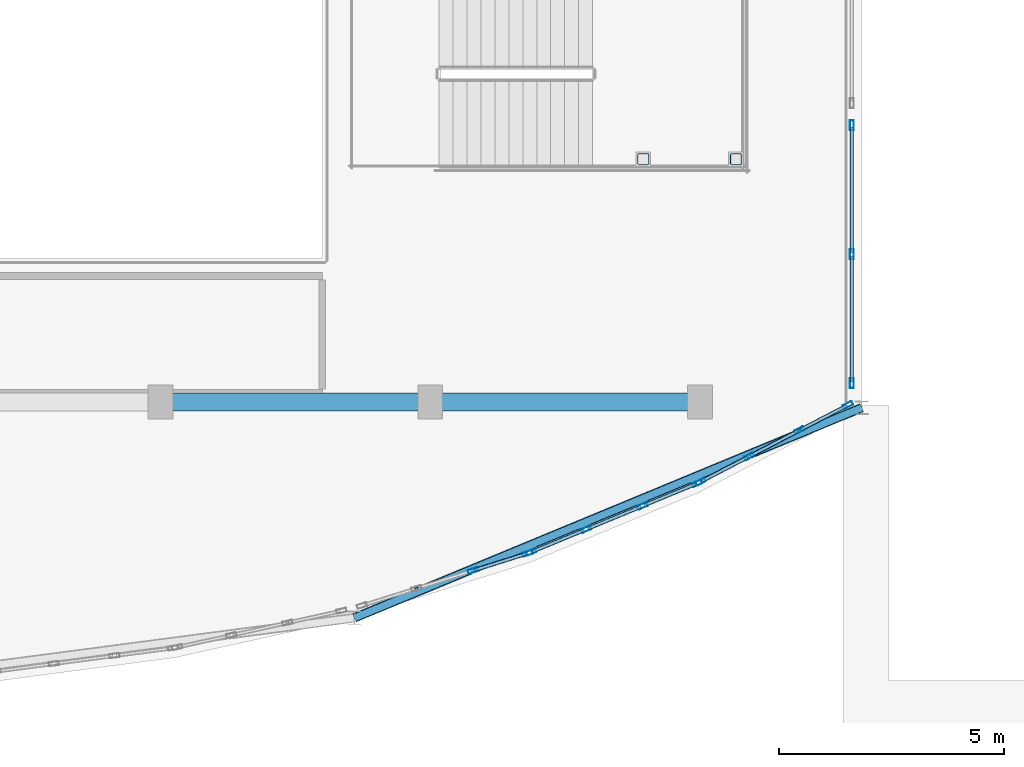
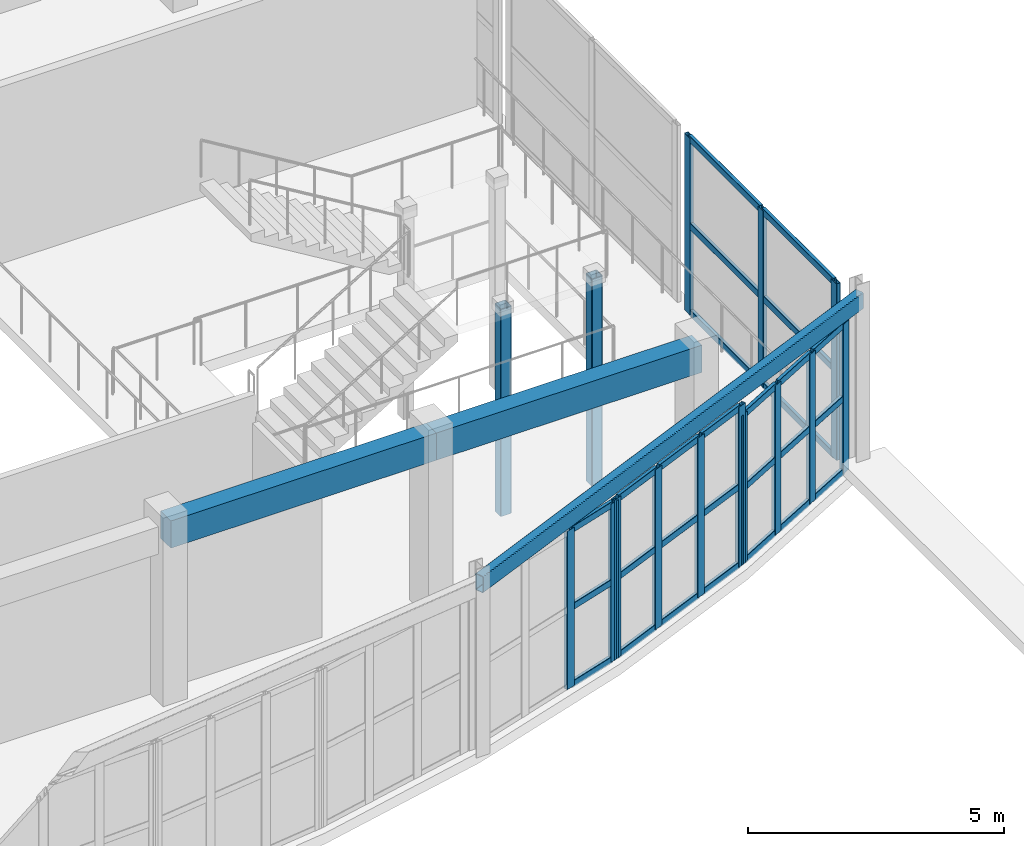
# One storey, part 10 of 92: 42 members, 3 beams, 4 elements without a shape of their own.
"""IFC4 building model written with IfcOpenShell, lengths in metres."""

from ifc_helpers import new_model, si_unit, direction, frame, origin, origin_2d, place, context, subcontext, project, spatial, rectangle, hollow_rectangle, extrude, material, layer, layer_set, material_profile, profile_set, type_object, element, aggregate, save


model = new_model("IFC4")

# Units and contexts
model_context = context("Model", 3, precision=1e-05, world=origin(), true_north=direction((0.0, 1.0)))
body_context = subcontext(model_context, "Body", "Model", "MODEL_VIEW")
ifc_project = project(units=[si_unit("LENGTHUNIT", "METRE"), si_unit("AREAUNIT", "SQUARE_METRE"), si_unit("VOLUMEUNIT", "CUBIC_METRE"), si_unit("PLANEANGLEUNIT", "RADIAN"), si_unit("MASSUNIT", "GRAM", prefix="KILO")], contexts=[model_context])

# Site, building, storey
site_placement = place(None, origin())
site = spatial("IfcSite", under=ifc_project, at=site_placement, CompositionType="ELEMENT")
building_placement = place(site_placement, origin())
building = spatial("IfcBuilding", under=site, at=building_placement, Name="Tarnavel Promenade Courthouse", CompositionType="ELEMENT")
storey_placement = place(building_placement, frame((0.0, 0.0, 5.39990234375)))
storey = spatial("IfcBuildingStorey", under=building, at=storey_placement, Name="L02", CompositionType="ELEMENT", Elevation=5.39990234375)

# Beams
ifc_material_1 = material(Name="Concrete C40/50", Category="concrete")
ifc_material_profile_1 = material_profile(ifc_material_1, rectangle(XDim=0.39990234375, YDim=0.64990234375, at=origin_2d()), Name="RC 400x650")
ifc_profile_set_1 = profile_set([ifc_material_profile_1], Name="Concrete C40/50")
beam_type_1 = type_object("IfcBeamType", Name="Concrete C40/50 BM-RC-400x650 (RC 400x650)", PredefinedType="BEAM", material=ifc_profile_set_1)
for number, where, z_axis, x_axis, name in (
    (1, (39.60009765625, 14.800048828125, 3.91015625), (1.0, 0.0, 0.0), (0.0, 1.0, 0.0), "L02 Primary Longitudinal Beam 1077"),
    (2, (45.60009765625, 14.800048828125, 3.91015625), (1.0, 0.0, 0.0), (0.0, 1.0, 0.0), "L02 Primary Longitudinal Beam 1078"),
):
    element("IfcBeam", number, at=place(storey_placement, frame(where, z_axis=z_axis, x_axis=x_axis)), inside=storey, type_object=beam_type_1, Name=name, PredefinedType="BEAM", context=body_context, shape_type="SweptSolid", body=[
        extrude(rectangle(XDim=0.39990234375, YDim=0.64990234375, at=origin_2d()), origin(), (0.0, 0.0, 1.0), 6.0),
    ])
ifc_material_2 = material(Name="Steel S355J2", Category="steel")
ifc_material_profile_2 = material_profile(ifc_material_2, hollow_rectangle(XDim=0.199951171875, YDim=0.39990234375, WallThickness=0.01416015625, InnerFilletRadius=0.013916015625, OuterFilletRadius=0.028076171875, at=origin_2d()), Name="RHS 400x200x14.2")
ifc_profile_set_2 = profile_set([ifc_material_profile_2], Name="Steel S355J2")
beam_type_2 = type_object("IfcBeamType", Name="Steel S355J2 BM-ST-RHS400 (RHS 400x200x14.2)", PredefinedType="SPANDREL", material=ifc_profile_set_2)
beam_placement = place(storey_placement, frame((43.91259765625, 9.99462890625, 4.03515625), z_axis=(0.923881903753, 0.38267770763, 0.0), x_axis=(-0.38267770763, 0.923881903753, 0.0)))
element("IfcBeam", 3, at=beam_placement, inside=storey, type_object=beam_type_2, Name="L02 Public Drum Ring Beam 1530", PredefinedType="SPANDREL", context=body_context, shape_type="SweptSolid", body=[
    extrude(hollow_rectangle(XDim=0.199951171875, YDim=0.39990234375, WallThickness=0.01416015625, InnerFilletRadius=0.013916015625, OuterFilletRadius=0.028076171875, at=origin_2d()), origin(), (0.0, 0.0, 1.0), 12.21728515625),
])

# Members
ifc_material_profile_3 = material_profile(ifc_material_2, hollow_rectangle(XDim=0.25, YDim=0.25, WallThickness=0.012451171875, InnerFilletRadius=0.012451171875, OuterFilletRadius=0.02490234375, at=origin_2d()), Name="SHS 250x250x12.5")
ifc_profile_set_3 = profile_set([ifc_material_profile_3], Name="Steel S355J2")
member_type_1 = type_object("IfcMemberType", Name="Steel S355J2 MEM-STR-SHS250 (SHS 250x250x12.5)", PredefinedType="STRUT", material=ifc_profile_set_3)
for number, where, z_axis, x_axis, name in (
    (4, (50.340087890625, 20.199951171875, -2.699951171875), (0.0, 0.0, 1.0), (1.0, 0.0, 0.0), "L02 ST-09 Monumental Stair Landing Post 1"),
    (5, (52.39990234375, 20.199951171875, -2.699951171875), (0.0, 0.0, 1.0), (1.0, 0.0, 0.0), "L02 ST-09 Monumental Stair Landing Post 2"),
):
    element("IfcMember", number, at=place(storey_placement, frame(where, z_axis=z_axis, x_axis=x_axis)), inside=storey, type_object=member_type_1, Name=name, PredefinedType="STRUT", context=body_context, shape_type="SweptSolid", body=[
        extrude(hollow_rectangle(XDim=0.25, YDim=0.25, WallThickness=0.012451171875, InnerFilletRadius=0.012451171875, OuterFilletRadius=0.02490234375, at=origin_2d()), origin(), (0.0, 0.0, 1.0), 4.949951171875),
    ])

# Curtain wall, members
ifc_material_3 = material(Name="Thermally Broken Anodised Aluminium Curtain Wall System", Category="aluminium")
ifc_layer = layer(ifc_material_3, 0.219970703125)
ifc_layer_set = layer_set([ifc_layer], Name="Thermally Broken Anodised Aluminium Curtain Wall System")
curtain_wall_type = type_object("IfcCurtainWallType", Name="Thermally Broken Aluminium Triple-Glazed Curtain Wall CW-DRUM", PredefinedType="NOTDEFINED", material=ifc_layer_set)
curtain_wall_1_placement = place(storey_placement, origin())
curtain_wall_1 = element("IfcCurtainWall", 6, at=curtain_wall_1_placement, inside=storey, type_object=curtain_wall_type, Name="L02 Public Hall Drum Curtain Wall 021", PredefinedType="NOTDEFINED")
ifc_material_4 = material(Name="Thermally Broken Anodised Aluminium Frame", Category="aluminium")
ifc_material_profile_4 = material_profile(ifc_material_4, hollow_rectangle(XDim=0.090087890625, YDim=0.219970703125, WallThickness=0.0048828125, InnerFilletRadius=0.0048828125, OuterFilletRadius=0.010009765625, at=origin_2d()), Name="CWM 220x90x5")
ifc_profile_set_4 = profile_set([ifc_material_profile_4], Name="Thermally Broken Anodised Aluminium Frame")
member_type_2 = type_object("IfcMemberType", Name="Thermally Broken Anodised Aluminium CWM-175 (CWM 220x90x5)", PredefinedType="MULLION", material=ifc_profile_set_4)
member_1_placement = place(storey_placement, frame((46.551025390625, 11.046630859375, 0.0), z_axis=(0.0, 0.0, 1.0), x_axis=(-0.300705340521, 0.953717095465, 0.0)))
member_1 = element("IfcMember", 7, at=member_1_placement, type_object=member_type_2, Name="CW-01 mullion 3", PredefinedType="MULLION", context=body_context, shape_type="SweptSolid", body=[
    extrude(hollow_rectangle(XDim=0.090087890625, YDim=0.219970703125, WallThickness=0.0048828125, InnerFilletRadius=0.0048828125, OuterFilletRadius=0.010009765625, at=origin_2d()), origin(), (0.0, 0.0, 1.0), 3.780029296875),
])
member_2_placement = place(storey_placement, frame((47.763671875, 11.428955078125, 0.0), z_axis=(0.0, 0.0, 1.0), x_axis=(-0.300705340521, 0.953717095465, 0.0)))
member_2 = element("IfcMember", 8, at=member_2_placement, type_object=member_type_2, Name="CW-01 mullion 4", PredefinedType="MULLION", context=body_context, shape_type="SweptSolid", body=[
    extrude(hollow_rectangle(XDim=0.090087890625, YDim=0.219970703125, WallThickness=0.0048828125, InnerFilletRadius=0.0048828125, OuterFilletRadius=0.010009765625, at=origin_2d()), origin(), (0.0, 0.0, 1.0), 3.780029296875),
])

curtain_wall_2_placement = place(storey_placement, origin())
curtain_wall_2 = element("IfcCurtainWall", 9, at=curtain_wall_2_placement, inside=storey, type_object=curtain_wall_type, Name="L02 Public Hall Drum Curtain Wall 022", PredefinedType="NOTDEFINED")
member_3_placement = place(storey_placement, frame((47.84814453125, 11.459716796875, 0.0), z_axis=(0.0, 0.0, 1.0), x_axis=(-0.382684779296, 0.923878974593, 0.0)))
member_3 = element("IfcMember", 10, at=member_3_placement, type_object=member_type_2, Name="CW-01 mullion 1", PredefinedType="MULLION", context=body_context, shape_type="SweptSolid", body=[
    extrude(hollow_rectangle(XDim=0.090087890625, YDim=0.219970703125, WallThickness=0.0048828125, InnerFilletRadius=0.0048828125, OuterFilletRadius=0.010009765625, at=origin_2d()), origin(), (0.0, 0.0, 1.0), 3.820068359375),
])
member_4_placement = place(storey_placement, frame((49.06396484375, 11.963134765625, 0.0), z_axis=(0.0, 0.0, 1.0), x_axis=(-0.382684779296, 0.923878974593, 0.0)))
member_4 = element("IfcMember", 11, at=member_4_placement, type_object=member_type_2, Name="CW-01 mullion 2", PredefinedType="MULLION", context=body_context, shape_type="SweptSolid", body=[
    extrude(hollow_rectangle(XDim=0.090087890625, YDim=0.219970703125, WallThickness=0.0048828125, InnerFilletRadius=0.0048828125, OuterFilletRadius=0.010009765625, at=origin_2d()), origin(), (0.0, 0.0, 1.0), 3.820068359375),
])
member_5_placement = place(storey_placement, frame((50.3212890625, 12.48388671875, 0.0), z_axis=(0.0, 0.0, 1.0), x_axis=(-0.382684779296, 0.923878974593, 0.0)))
member_5 = element("IfcMember", 12, at=member_5_placement, type_object=member_type_2, Name="CW-01 mullion 3", PredefinedType="MULLION", context=body_context, shape_type="SweptSolid", body=[
    extrude(hollow_rectangle(XDim=0.090087890625, YDim=0.219970703125, WallThickness=0.0048828125, InnerFilletRadius=0.0048828125, OuterFilletRadius=0.010009765625, at=origin_2d()), origin(), (0.0, 0.0, 1.0), 3.820068359375),
])
member_6_placement = place(storey_placement, frame((51.536865234375, 12.987548828125, 0.0), z_axis=(0.0, 0.0, 1.0), x_axis=(-0.382684779296, 0.923878974593, 0.0)))
member_6 = element("IfcMember", 13, at=member_6_placement, type_object=member_type_2, Name="CW-01 mullion 4", PredefinedType="MULLION", context=body_context, shape_type="SweptSolid", body=[
    extrude(hollow_rectangle(XDim=0.090087890625, YDim=0.219970703125, WallThickness=0.0048828125, InnerFilletRadius=0.0048828125, OuterFilletRadius=0.010009765625, at=origin_2d()), origin(), (0.0, 0.0, 1.0), 3.820068359375),
])

curtain_wall_3_placement = place(storey_placement, origin())
curtain_wall_3 = element("IfcCurtainWall", 14, at=curtain_wall_3_placement, inside=storey, type_object=curtain_wall_type, Name="L02 Public Hall Drum Curtain Wall 023", PredefinedType="NOTDEFINED")
member_7_placement = place(storey_placement, frame((51.618408203125, 13.025634765625, 0.0), z_axis=(0.0, 0.0, 1.0), x_axis=(-0.461747394054, 0.887011467842, 0.0)))
member_7 = element("IfcMember", 15, at=member_7_placement, type_object=member_type_2, Name="CW-01 mullion 1", PredefinedType="MULLION", context=body_context, shape_type="SweptSolid", body=[
    extrude(hollow_rectangle(XDim=0.090087890625, YDim=0.219970703125, WallThickness=0.0048828125, InnerFilletRadius=0.0048828125, OuterFilletRadius=0.010009765625, at=origin_2d()), origin(), (0.0, 0.0, 1.0), 3.570068359375),
])
member_8_placement = place(storey_placement, frame((52.696533203125, 13.586669921875, 0.0), z_axis=(0.0, 0.0, 1.0), x_axis=(-0.461747394054, 0.887011467842, 0.0)))
member_8 = element("IfcMember", 16, at=member_8_placement, type_object=member_type_2, Name="CW-01 mullion 2", PredefinedType="MULLION", context=body_context, shape_type="SweptSolid", body=[
    extrude(hollow_rectangle(XDim=0.090087890625, YDim=0.219970703125, WallThickness=0.0048828125, InnerFilletRadius=0.0048828125, OuterFilletRadius=0.010009765625, at=origin_2d()), origin(), (0.0, 0.0, 1.0), 3.570068359375),
])
member_9_placement = place(storey_placement, frame((53.814453125, 14.168701171875, 0.0), z_axis=(0.0, 0.0, 1.0), x_axis=(-0.461747394054, 0.887011467842, 0.0)))
member_9 = element("IfcMember", 17, at=member_9_placement, type_object=member_type_2, Name="CW-01 mullion 3", PredefinedType="MULLION", context=body_context, shape_type="SweptSolid", body=[
    extrude(hollow_rectangle(XDim=0.090087890625, YDim=0.219970703125, WallThickness=0.0048828125, InnerFilletRadius=0.0048828125, OuterFilletRadius=0.010009765625, at=origin_2d()), origin(), (0.0, 0.0, 1.0), 3.570068359375),
])
member_10_placement = place(storey_placement, frame((54.892578125, 14.72998046875, 0.0), z_axis=(0.0, 0.0, 1.0), x_axis=(-0.461747394054, 0.887011467842, 0.0)))
member_10 = element("IfcMember", 18, at=member_10_placement, type_object=member_type_2, Name="CW-01 mullion 4", PredefinedType="MULLION", context=body_context, shape_type="SweptSolid", body=[
    extrude(hollow_rectangle(XDim=0.090087890625, YDim=0.219970703125, WallThickness=0.0048828125, InnerFilletRadius=0.0048828125, OuterFilletRadius=0.010009765625, at=origin_2d()), origin(), (0.0, 0.0, 1.0), 3.570068359375),
])

curtain_wall_4_placement = place(storey_placement, origin())
curtain_wall_4 = element("IfcCurtainWall", 19, at=curtain_wall_4_placement, inside=storey, type_object=curtain_wall_type, Name="L02 Public Drum East Return Curtain Wall 024", PredefinedType="NOTDEFINED")
member_11_placement = place(storey_placement, frame((54.97998046875, 15.215087890625, 0.0), z_axis=(0.0, 0.0, 1.0), x_axis=(-1.0, 0.0, 0.0)))
member_11 = element("IfcMember", 20, at=member_11_placement, type_object=member_type_2, Name="CW-01 mullion 1", PredefinedType="MULLION", context=body_context, shape_type="SweptSolid", body=[
    extrude(hollow_rectangle(XDim=0.090087890625, YDim=0.219970703125, WallThickness=0.0048828125, InnerFilletRadius=0.0048828125, OuterFilletRadius=0.010009765625, at=origin_2d()), origin(), (0.0, 0.0, 1.0), 4.22021484375),
])
member_12_placement = place(storey_placement, frame((54.97998046875, 18.0849609375, 0.0), z_axis=(0.0, 0.0, 1.0), x_axis=(-1.0, 0.0, 0.0)))
member_12 = element("IfcMember", 21, at=member_12_placement, type_object=member_type_2, Name="CW-01 mullion 2", PredefinedType="MULLION", context=body_context, shape_type="SweptSolid", body=[
    extrude(hollow_rectangle(XDim=0.090087890625, YDim=0.219970703125, WallThickness=0.0048828125, InnerFilletRadius=0.0048828125, OuterFilletRadius=0.010009765625, at=origin_2d()), origin(), (0.0, 0.0, 1.0), 4.22021484375),
])
member_13_placement = place(storey_placement, frame((54.97998046875, 20.955078125, 0.0), z_axis=(0.0, 0.0, 1.0), x_axis=(-1.0, 0.0, 0.0)))
member_13 = element("IfcMember", 22, at=member_13_placement, type_object=member_type_2, Name="CW-01 mullion 3", PredefinedType="MULLION", context=body_context, shape_type="SweptSolid", body=[
    extrude(hollow_rectangle(XDim=0.090087890625, YDim=0.219970703125, WallThickness=0.0048828125, InnerFilletRadius=0.0048828125, OuterFilletRadius=0.010009765625, at=origin_2d()), origin(), (0.0, 0.0, 1.0), 4.22021484375),
])

# Member
ifc_material_profile_5 = material_profile(ifc_material_4, hollow_rectangle(XDim=0.080078125, YDim=0.159912109375, WallThickness=0.0048828125, InnerFilletRadius=0.0048828125, OuterFilletRadius=0.010009765625, at=origin_2d()), Name="CWT 160x80x5")
ifc_profile_set_5 = profile_set([ifc_material_profile_5], Name="Thermally Broken Anodised Aluminium Frame")
member_type_3 = type_object("IfcMemberType", Name="Thermally Broken Anodised Aluminium CWT-145 (CWT 160x80x5)", PredefinedType="USERDEFINED", material=ifc_profile_set_5)
member_14_placement = place(storey_placement, frame((46.593994140625, 11.06005859375, 0.0400390625), z_axis=(0.953723109008, 0.300686267304, 0.0), x_axis=(-0.300686267304, 0.953723109008, 0.0)))
member_14 = element("IfcMember", 23, at=member_14_placement, type_object=member_type_3, Name="CW-01 transom 3.1", ObjectType="TRANSOM", PredefinedType="USERDEFINED", context=body_context, shape_type="SweptSolid", body=[
    extrude(hollow_rectangle(XDim=0.080078125, YDim=0.159912109375, WallThickness=0.0048828125, InnerFilletRadius=0.0048828125, OuterFilletRadius=0.010009765625, at=origin_2d()), origin(), (0.0, 0.0, 1.0), 1.181396484375),
])

member_15_placement = place(storey_placement, frame((46.593994140625, 11.06005859375, 1.89013671875), z_axis=(0.953723109008, 0.300686267304, 0.0), x_axis=(-0.300686267304, 0.953723109008, 0.0)))
member_15 = element("IfcMember", 24, at=member_15_placement, type_object=member_type_3, Name="CW-01 transom 3.2", ObjectType="TRANSOM", PredefinedType="USERDEFINED", context=body_context, shape_type="SweptSolid", body=[
    extrude(hollow_rectangle(XDim=0.080078125, YDim=0.159912109375, WallThickness=0.0048828125, InnerFilletRadius=0.0048828125, OuterFilletRadius=0.010009765625, at=origin_2d()), origin(), (0.0, 0.0, 1.0), 1.181396484375),
])

member_16_placement = place(storey_placement, frame((46.593994140625, 11.06005859375, 3.739990234375), z_axis=(0.953723109008, 0.300686267304, 0.0), x_axis=(-0.300686267304, 0.953723109008, 0.0)))
member_16 = element("IfcMember", 25, at=member_16_placement, type_object=member_type_3, Name="CW-01 transom 3.3", ObjectType="TRANSOM", PredefinedType="USERDEFINED", context=body_context, shape_type="SweptSolid", body=[
    extrude(hollow_rectangle(XDim=0.080078125, YDim=0.159912109375, WallThickness=0.0048828125, InnerFilletRadius=0.0048828125, OuterFilletRadius=0.010009765625, at=origin_2d()), origin(), (0.0, 0.0, 1.0), 1.181396484375),
])

aggregate(curtain_wall_1, [member_1, member_2, member_14, member_15, member_16])

member_17_placement = place(storey_placement, frame((47.8896484375, 11.476806640625, 0.0400390625), z_axis=(0.923846909596, 0.382762181557, 0.0), x_axis=(-0.382762181557, 0.923846909596, 0.0)))
member_17 = element("IfcMember", 26, at=member_17_placement, type_object=member_type_3, Name="CW-01 transom 1.1", ObjectType="TRANSOM", PredefinedType="USERDEFINED", context=body_context, shape_type="SweptSolid", body=[
    extrude(hollow_rectangle(XDim=0.080078125, YDim=0.159912109375, WallThickness=0.0048828125, InnerFilletRadius=0.0048828125, OuterFilletRadius=0.010009765625, at=origin_2d()), origin(), (0.0, 0.0, 1.0), 1.225830078125),
])

member_18_placement = place(storey_placement, frame((47.8896484375, 11.476806640625, 1.91015625), z_axis=(0.923846909596, 0.382762181557, 0.0), x_axis=(-0.382762181557, 0.923846909596, 0.0)))
member_18 = element("IfcMember", 27, at=member_18_placement, type_object=member_type_3, Name="CW-01 transom 1.2", ObjectType="TRANSOM", PredefinedType="USERDEFINED", context=body_context, shape_type="SweptSolid", body=[
    extrude(hollow_rectangle(XDim=0.080078125, YDim=0.159912109375, WallThickness=0.0048828125, InnerFilletRadius=0.0048828125, OuterFilletRadius=0.010009765625, at=origin_2d()), origin(), (0.0, 0.0, 1.0), 1.225830078125),
])

member_19_placement = place(storey_placement, frame((47.8896484375, 11.476806640625, 3.780029296875), z_axis=(0.923846909596, 0.382762181557, 0.0), x_axis=(-0.382762181557, 0.923846909596, 0.0)))
member_19 = element("IfcMember", 28, at=member_19_placement, type_object=member_type_3, Name="CW-01 transom 1.3", ObjectType="TRANSOM", PredefinedType="USERDEFINED", context=body_context, shape_type="SweptSolid", body=[
    extrude(hollow_rectangle(XDim=0.080078125, YDim=0.159912109375, WallThickness=0.0048828125, InnerFilletRadius=0.0048828125, OuterFilletRadius=0.010009765625, at=origin_2d()), origin(), (0.0, 0.0, 1.0), 1.225830078125),
])

member_20_placement = place(storey_placement, frame((49.10546875, 11.98046875, 0.0400390625), z_axis=(0.923876341576, 0.382691135874, 0.0), x_axis=(-0.382691135874, 0.923876341576, 0.0)))
member_20 = element("IfcMember", 29, at=member_20_placement, type_object=member_type_3, Name="CW-01 transom 2.1", ObjectType="TRANSOM", PredefinedType="USERDEFINED", context=body_context, shape_type="SweptSolid", body=[
    extrude(hollow_rectangle(XDim=0.080078125, YDim=0.159912109375, WallThickness=0.0048828125, InnerFilletRadius=0.0048828125, OuterFilletRadius=0.010009765625, at=origin_2d()), origin(), (0.0, 0.0, 1.0), 1.270751953125),
])

member_21_placement = place(storey_placement, frame((49.10546875, 11.98046875, 1.91015625), z_axis=(0.923876341576, 0.382691135874, 0.0), x_axis=(-0.382691135874, 0.923876341576, 0.0)))
member_21 = element("IfcMember", 30, at=member_21_placement, type_object=member_type_3, Name="CW-01 transom 2.2", ObjectType="TRANSOM", PredefinedType="USERDEFINED", context=body_context, shape_type="SweptSolid", body=[
    extrude(hollow_rectangle(XDim=0.080078125, YDim=0.159912109375, WallThickness=0.0048828125, InnerFilletRadius=0.0048828125, OuterFilletRadius=0.010009765625, at=origin_2d()), origin(), (0.0, 0.0, 1.0), 1.270751953125),
])

member_22_placement = place(storey_placement, frame((49.10546875, 11.98046875, 3.780029296875), z_axis=(0.923876341576, 0.382691135874, 0.0), x_axis=(-0.382691135874, 0.923876341576, 0.0)))
member_22 = element("IfcMember", 31, at=member_22_placement, type_object=member_type_3, Name="CW-01 transom 2.3", ObjectType="TRANSOM", PredefinedType="USERDEFINED", context=body_context, shape_type="SweptSolid", body=[
    extrude(hollow_rectangle(XDim=0.080078125, YDim=0.159912109375, WallThickness=0.0048828125, InnerFilletRadius=0.0048828125, OuterFilletRadius=0.010009765625, at=origin_2d()), origin(), (0.0, 0.0, 1.0), 1.270751953125),
])

member_23_placement = place(storey_placement, frame((50.36279296875, 12.501220703125, 0.0400390625), z_axis=(0.923846909596, 0.382762181557, 0.0), x_axis=(-0.382762181557, 0.923846909596, 0.0)))
member_23 = element("IfcMember", 32, at=member_23_placement, type_object=member_type_3, Name="CW-01 transom 3.1", ObjectType="TRANSOM", PredefinedType="USERDEFINED", context=body_context, shape_type="SweptSolid", body=[
    extrude(hollow_rectangle(XDim=0.080078125, YDim=0.159912109375, WallThickness=0.0048828125, InnerFilletRadius=0.0048828125, OuterFilletRadius=0.010009765625, at=origin_2d()), origin(), (0.0, 0.0, 1.0), 1.225830078125),
])

member_24_placement = place(storey_placement, frame((50.36279296875, 12.501220703125, 1.91015625), z_axis=(0.923846909596, 0.382762181557, 0.0), x_axis=(-0.382762181557, 0.923846909596, 0.0)))
member_24 = element("IfcMember", 33, at=member_24_placement, type_object=member_type_3, Name="CW-01 transom 3.2", ObjectType="TRANSOM", PredefinedType="USERDEFINED", context=body_context, shape_type="SweptSolid", body=[
    extrude(hollow_rectangle(XDim=0.080078125, YDim=0.159912109375, WallThickness=0.0048828125, InnerFilletRadius=0.0048828125, OuterFilletRadius=0.010009765625, at=origin_2d()), origin(), (0.0, 0.0, 1.0), 1.225830078125),
])

member_25_placement = place(storey_placement, frame((50.36279296875, 12.501220703125, 3.780029296875), z_axis=(0.923846909596, 0.382762181557, 0.0), x_axis=(-0.382762181557, 0.923846909596, 0.0)))
member_25 = element("IfcMember", 34, at=member_25_placement, type_object=member_type_3, Name="CW-01 transom 3.3", ObjectType="TRANSOM", PredefinedType="USERDEFINED", context=body_context, shape_type="SweptSolid", body=[
    extrude(hollow_rectangle(XDim=0.080078125, YDim=0.159912109375, WallThickness=0.0048828125, InnerFilletRadius=0.0048828125, OuterFilletRadius=0.010009765625, at=origin_2d()), origin(), (0.0, 0.0, 1.0), 1.225830078125),
])

aggregate(curtain_wall_2, [member_3, member_4, member_5, member_6, member_17, member_18, member_19, member_20, member_21, member_22, member_23, member_24, member_25])

member_26_placement = place(storey_placement, frame((51.658447265625, 13.04638671875, 0.0400390625), z_axis=(0.887017774073, 0.461735279655, 0.0), x_axis=(-0.461735279655, 0.887017774073, 0.0)))
member_26 = element("IfcMember", 35, at=member_26_placement, type_object=member_type_3, Name="CW-01 transom 1.1", ObjectType="TRANSOM", PredefinedType="USERDEFINED", context=body_context, shape_type="SweptSolid", body=[
    extrude(hollow_rectangle(XDim=0.080078125, YDim=0.159912109375, WallThickness=0.0048828125, InnerFilletRadius=0.0048828125, OuterFilletRadius=0.010009765625, at=origin_2d()), origin(), (0.0, 0.0, 1.0), 1.125244140625),
])

member_27_placement = place(storey_placement, frame((51.658447265625, 13.04638671875, 1.78515625), z_axis=(0.887017774073, 0.461735279655, 0.0), x_axis=(-0.461735279655, 0.887017774073, 0.0)))
member_27 = element("IfcMember", 36, at=member_27_placement, type_object=member_type_3, Name="CW-01 transom 1.2", ObjectType="TRANSOM", PredefinedType="USERDEFINED", context=body_context, shape_type="SweptSolid", body=[
    extrude(hollow_rectangle(XDim=0.080078125, YDim=0.159912109375, WallThickness=0.0048828125, InnerFilletRadius=0.0048828125, OuterFilletRadius=0.010009765625, at=origin_2d()), origin(), (0.0, 0.0, 1.0), 1.125244140625),
])

member_28_placement = place(storey_placement, frame((51.658447265625, 13.04638671875, 3.530029296875), z_axis=(0.887017774073, 0.461735279655, 0.0), x_axis=(-0.461735279655, 0.887017774073, 0.0)))
member_28 = element("IfcMember", 37, at=member_28_placement, type_object=member_type_3, Name="CW-01 transom 1.3", ObjectType="TRANSOM", PredefinedType="USERDEFINED", context=body_context, shape_type="SweptSolid", body=[
    extrude(hollow_rectangle(XDim=0.080078125, YDim=0.159912109375, WallThickness=0.0048828125, InnerFilletRadius=0.0048828125, OuterFilletRadius=0.010009765625, at=origin_2d()), origin(), (0.0, 0.0, 1.0), 1.125244140625),
])

member_29_placement = place(storey_placement, frame((52.736328125, 13.607666015625, 0.0400390625), z_axis=(0.887093827945, 0.461589146777, 0.0), x_axis=(-0.461589146777, 0.887093827945, 0.0)))
member_29 = element("IfcMember", 38, at=member_29_placement, type_object=member_type_3, Name="CW-01 transom 2.1", ObjectType="TRANSOM", PredefinedType="USERDEFINED", context=body_context, shape_type="SweptSolid", body=[
    extrude(hollow_rectangle(XDim=0.080078125, YDim=0.159912109375, WallThickness=0.0048828125, InnerFilletRadius=0.0048828125, OuterFilletRadius=0.010009765625, at=origin_2d()), origin(), (0.0, 0.0, 1.0), 1.17041015625),
])

member_30_placement = place(storey_placement, frame((52.736328125, 13.607666015625, 1.78515625), z_axis=(0.887093827945, 0.461589146777, 0.0), x_axis=(-0.461589146777, 0.887093827945, 0.0)))
member_30 = element("IfcMember", 39, at=member_30_placement, type_object=member_type_3, Name="CW-01 transom 2.2", ObjectType="TRANSOM", PredefinedType="USERDEFINED", context=body_context, shape_type="SweptSolid", body=[
    extrude(hollow_rectangle(XDim=0.080078125, YDim=0.159912109375, WallThickness=0.0048828125, InnerFilletRadius=0.0048828125, OuterFilletRadius=0.010009765625, at=origin_2d()), origin(), (0.0, 0.0, 1.0), 1.17041015625),
])

member_31_placement = place(storey_placement, frame((52.736328125, 13.607666015625, 3.530029296875), z_axis=(0.887093827945, 0.461589146777, 0.0), x_axis=(-0.461589146777, 0.887093827945, 0.0)))
member_31 = element("IfcMember", 40, at=member_31_placement, type_object=member_type_3, Name="CW-01 transom 2.3", ObjectType="TRANSOM", PredefinedType="USERDEFINED", context=body_context, shape_type="SweptSolid", body=[
    extrude(hollow_rectangle(XDim=0.080078125, YDim=0.159912109375, WallThickness=0.0048828125, InnerFilletRadius=0.0048828125, OuterFilletRadius=0.010009765625, at=origin_2d()), origin(), (0.0, 0.0, 1.0), 1.17041015625),
])

member_32_placement = place(storey_placement, frame((53.8544921875, 14.189453125, 0.0400390625), z_axis=(0.886928898264, 0.461905974658, 0.0), x_axis=(-0.461905974658, 0.886928898264, 0.0)))
member_32 = element("IfcMember", 41, at=member_32_placement, type_object=member_type_3, Name="CW-01 transom 3.1", ObjectType="TRANSOM", PredefinedType="USERDEFINED", context=body_context, shape_type="SweptSolid", body=[
    extrude(hollow_rectangle(XDim=0.080078125, YDim=0.159912109375, WallThickness=0.0048828125, InnerFilletRadius=0.0048828125, OuterFilletRadius=0.010009765625, at=origin_2d()), origin(), (0.0, 0.0, 1.0), 1.125244140625),
])

member_33_placement = place(storey_placement, frame((53.8544921875, 14.189453125, 1.78515625), z_axis=(0.886928898264, 0.461905974658, 0.0), x_axis=(-0.461905974658, 0.886928898264, 0.0)))
member_33 = element("IfcMember", 42, at=member_33_placement, type_object=member_type_3, Name="CW-01 transom 3.2", ObjectType="TRANSOM", PredefinedType="USERDEFINED", context=body_context, shape_type="SweptSolid", body=[
    extrude(hollow_rectangle(XDim=0.080078125, YDim=0.159912109375, WallThickness=0.0048828125, InnerFilletRadius=0.0048828125, OuterFilletRadius=0.010009765625, at=origin_2d()), origin(), (0.0, 0.0, 1.0), 1.125244140625),
])

member_34_placement = place(storey_placement, frame((53.8544921875, 14.189453125, 3.530029296875), z_axis=(0.886928898264, 0.461905974658, 0.0), x_axis=(-0.461905974658, 0.886928898264, 0.0)))
member_34 = element("IfcMember", 43, at=member_34_placement, type_object=member_type_3, Name="CW-01 transom 3.3", ObjectType="TRANSOM", PredefinedType="USERDEFINED", context=body_context, shape_type="SweptSolid", body=[
    extrude(hollow_rectangle(XDim=0.080078125, YDim=0.159912109375, WallThickness=0.0048828125, InnerFilletRadius=0.0048828125, OuterFilletRadius=0.010009765625, at=origin_2d()), origin(), (0.0, 0.0, 1.0), 1.125244140625),
])

aggregate(curtain_wall_3, [member_7, member_8, member_9, member_10, member_26, member_27, member_28, member_29, member_30, member_31, member_32, member_33, member_34])

member_35_placement = place(storey_placement, frame((54.97998046875, 15.260009765625, 0.0400390625), z_axis=(0.0, 1.0, 0.0), x_axis=(-1.0, 0.0, 0.0)))
member_35 = element("IfcMember", 44, at=member_35_placement, type_object=member_type_3, Name="CW-01 transom 1.1", ObjectType="TRANSOM", PredefinedType="USERDEFINED", context=body_context, shape_type="SweptSolid", body=[
    extrude(hollow_rectangle(XDim=0.080078125, YDim=0.159912109375, WallThickness=0.0048828125, InnerFilletRadius=0.0048828125, OuterFilletRadius=0.010009765625, at=origin_2d()), origin(), (0.0, 0.0, 1.0), 2.780029296875),
])

member_36_placement = place(storey_placement, frame((54.97998046875, 15.260009765625, 2.110107421875), z_axis=(0.0, 1.0, 0.0), x_axis=(-1.0, 0.0, 0.0)))
member_36 = element("IfcMember", 45, at=member_36_placement, type_object=member_type_3, Name="CW-01 transom 1.2", ObjectType="TRANSOM", PredefinedType="USERDEFINED", context=body_context, shape_type="SweptSolid", body=[
    extrude(hollow_rectangle(XDim=0.080078125, YDim=0.159912109375, WallThickness=0.0048828125, InnerFilletRadius=0.0048828125, OuterFilletRadius=0.010009765625, at=origin_2d()), origin(), (0.0, 0.0, 1.0), 2.780029296875),
])

member_37_placement = place(storey_placement, frame((54.97998046875, 15.260009765625, 4.18017578125), z_axis=(0.0, 1.0, 0.0), x_axis=(-1.0, 0.0, 0.0)))
member_37 = element("IfcMember", 46, at=member_37_placement, type_object=member_type_3, Name="CW-01 transom 1.3", ObjectType="TRANSOM", PredefinedType="USERDEFINED", context=body_context, shape_type="SweptSolid", body=[
    extrude(hollow_rectangle(XDim=0.080078125, YDim=0.159912109375, WallThickness=0.0048828125, InnerFilletRadius=0.0048828125, OuterFilletRadius=0.010009765625, at=origin_2d()), origin(), (0.0, 0.0, 1.0), 2.780029296875),
])

member_38_placement = place(storey_placement, frame((54.97998046875, 18.130126953125, 0.0400390625), z_axis=(0.0, 1.0, 0.0), x_axis=(-1.0, 0.0, 0.0)))
member_38 = element("IfcMember", 47, at=member_38_placement, type_object=member_type_3, Name="CW-01 transom 2.1", ObjectType="TRANSOM", PredefinedType="USERDEFINED", context=body_context, shape_type="SweptSolid", body=[
    extrude(hollow_rectangle(XDim=0.080078125, YDim=0.159912109375, WallThickness=0.0048828125, InnerFilletRadius=0.0048828125, OuterFilletRadius=0.010009765625, at=origin_2d()), origin(), (0.0, 0.0, 1.0), 2.77978515625),
])

member_39_placement = place(storey_placement, frame((54.97998046875, 18.130126953125, 2.110107421875), z_axis=(0.0, 1.0, 0.0), x_axis=(-1.0, 0.0, 0.0)))
member_39 = element("IfcMember", 48, at=member_39_placement, type_object=member_type_3, Name="CW-01 transom 2.2", ObjectType="TRANSOM", PredefinedType="USERDEFINED", context=body_context, shape_type="SweptSolid", body=[
    extrude(hollow_rectangle(XDim=0.080078125, YDim=0.159912109375, WallThickness=0.0048828125, InnerFilletRadius=0.0048828125, OuterFilletRadius=0.010009765625, at=origin_2d()), origin(), (0.0, 0.0, 1.0), 2.77978515625),
])

member_40_placement = place(storey_placement, frame((54.97998046875, 18.130126953125, 4.18017578125), z_axis=(0.0, 1.0, 0.0), x_axis=(-1.0, 0.0, 0.0)))
member_40 = element("IfcMember", 49, at=member_40_placement, type_object=member_type_3, Name="CW-01 transom 2.3", ObjectType="TRANSOM", PredefinedType="USERDEFINED", context=body_context, shape_type="SweptSolid", body=[
    extrude(hollow_rectangle(XDim=0.080078125, YDim=0.159912109375, WallThickness=0.0048828125, InnerFilletRadius=0.0048828125, OuterFilletRadius=0.010009765625, at=origin_2d()), origin(), (0.0, 0.0, 1.0), 2.77978515625),
])

aggregate(curtain_wall_4, [member_11, member_12, member_13, member_35, member_36, member_37, member_38, member_39, member_40])

save(model, "model.ifc")
